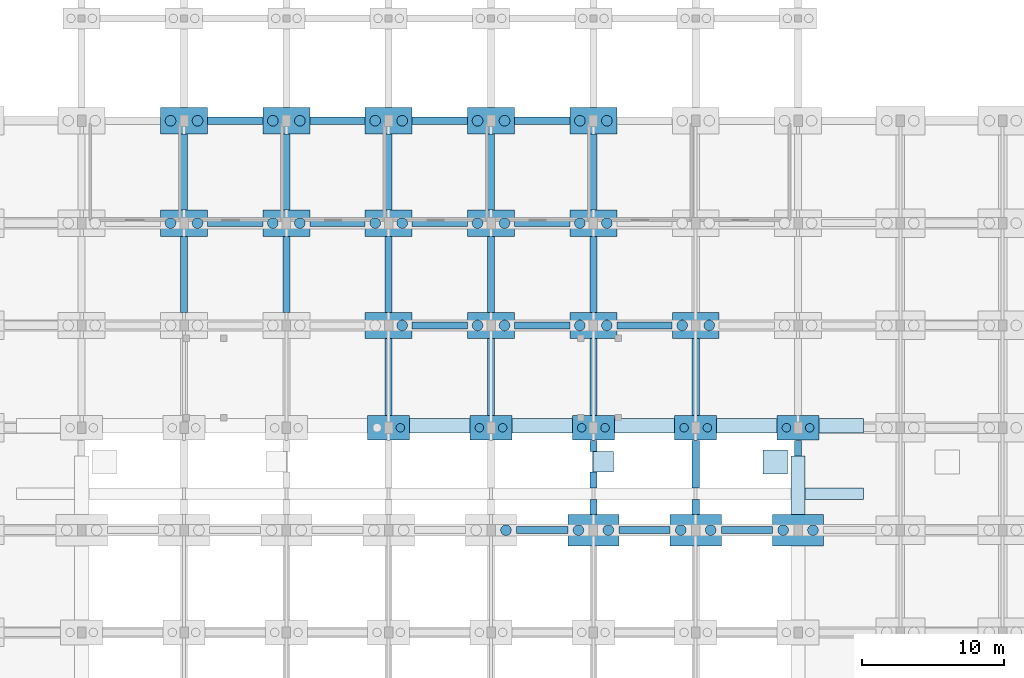
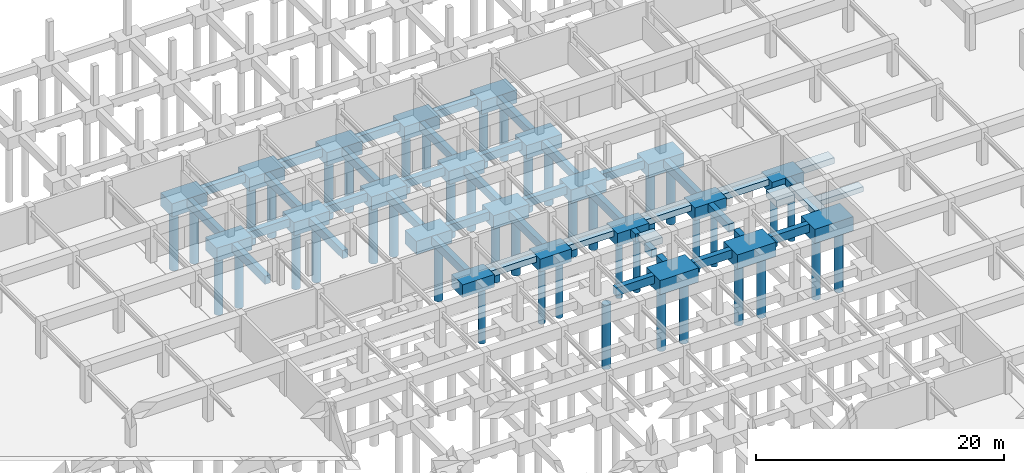
# One storey, part 10 of 36: 65 footings, 43 piles.
"""IFC4 building model written with IfcOpenShell, lengths in metres."""

from ifc_helpers import new_model, si_unit, direction, frame, origin, origin_2d, place, context, subcontext, project, spatial, rectangle, circle, extrude, material, material_profile, profile_set, type_object, element, save


model = new_model("IFC4")

# Units and contexts
model_context = context("Model", 3, precision=1e-05, world=origin(), true_north=direction((0.0, 1.0)))
body_context = subcontext(model_context, "Body", "Model", "MODEL_VIEW")
ifc_project = project(units=[si_unit("LENGTHUNIT", "METRE"), si_unit("AREAUNIT", "SQUARE_METRE"), si_unit("VOLUMEUNIT", "CUBIC_METRE"), si_unit("PLANEANGLEUNIT", "RADIAN"), si_unit("MASSUNIT", "GRAM", prefix="KILO")], contexts=[model_context])

# Site, building, storey
site_placement = place(None, origin())
site = spatial("IfcSite", under=ifc_project, at=site_placement, CompositionType="ELEMENT")
building_placement = place(site_placement, origin())
building = spatial("IfcBuilding", under=site, at=building_placement, Name="Ochrevale Crest", CompositionType="ELEMENT")
storey_placement = place(building_placement, frame((0.0, 0.0, -3.60009765625)))
storey = spatial("IfcBuildingStorey", under=building, at=storey_placement, Name="B1", CompositionType="ELEMENT", Elevation=-3.60009765625)

# Footings
ifc_material = material(Name="Concrete C40/50", Category="concrete")
footing_type_1 = type_object("IfcFootingType", Name="CAP-PC11", PredefinedType="PILE_CAP", material=ifc_material)
for number, where, z_axis, x_axis, name in (
    (1, (93.60009765625, 64.800048828125, -1.659912109375), (0.0, 0.0, 1.0), (1.0, 0.0, 0.0), "Pile cap PC11-188"),
    (2, (100.800048828125, 64.800048828125, -1.659912109375), (0.0, 0.0, 1.0), (1.0, 0.0, 0.0), "Pile cap PC11-204"),
    (3, (108.0, 64.800048828125, -1.659912109375), (0.0, 0.0, 1.0), (1.0, 0.0, 0.0), "Pile cap PC11-220"),
):
    element("IfcFooting", number, at=place(storey_placement, frame(where, z_axis=z_axis, x_axis=x_axis)), inside=storey, type_object=footing_type_1, Name=name, PredefinedType="PILE_CAP", context=body_context, shape_type="SweptSolid", body=[
        extrude(rectangle(XDim=3.60009765625, YDim=2.199951171875, at=origin_2d()), origin(), (0.0, 0.0, 1.0), 1.39990234375),
    ])
footing_type_2 = type_object("IfcFootingType", Name="CAP-PC13", PredefinedType="PILE_CAP", material=ifc_material)
for number, where, z_axis, x_axis, name in (
    (4, (64.800048828125, 86.39990234375, -1.56005859375), (0.0, 0.0, 1.0), (1.0, 0.0, 0.0), "Pile cap PC13-125"),
    (5, (64.800048828125, 93.60009765625, -1.56005859375), (0.0, 0.0, 1.0), (1.0, 0.0, 0.0), "Pile cap PC13-126"),
    (6, (72.0, 86.39990234375, -1.56005859375), (0.0, 0.0, 1.0), (1.0, 0.0, 0.0), "Pile cap PC13-141"),
    (7, (72.0, 93.60009765625, -1.56005859375), (0.0, 0.0, 1.0), (1.0, 0.0, 0.0), "Pile cap PC13-142"),
    (8, (79.199951171875, 79.199951171875, -1.56005859375), (0.0, 0.0, 1.0), (1.0, 0.0, 0.0), "Pile cap PC13-157"),
    (9, (79.199951171875, 86.39990234375, -1.56005859375), (0.0, 0.0, 1.0), (1.0, 0.0, 0.0), "Pile cap PC13-158"),
    (10, (79.199951171875, 93.60009765625, -1.56005859375), (0.0, 0.0, 1.0), (1.0, 0.0, 0.0), "Pile cap PC13-159"),
    (11, (86.39990234375, 79.199951171875, -1.56005859375), (0.0, 0.0, 1.0), (1.0, 0.0, 0.0), "Pile cap PC13-174"),
    (12, (86.39990234375, 86.39990234375, -1.56005859375), (0.0, 0.0, 1.0), (1.0, 0.0, 0.0), "Pile cap PC13-175"),
    (13, (86.39990234375, 93.60009765625, -1.56005859375), (0.0, 0.0, 1.0), (1.0, 0.0, 0.0), "Pile cap PC13-176"),
    (14, (93.60009765625, 79.199951171875, -1.56005859375), (0.0, 0.0, 1.0), (1.0, 0.0, 0.0), "Pile cap PC13-190"),
    (15, (93.60009765625, 86.39990234375, -1.56005859375), (0.0, 0.0, 1.0), (1.0, 0.0, 0.0), "Pile cap PC13-191"),
    (16, (93.60009765625, 93.60009765625, -1.56005859375), (0.0, 0.0, 1.0), (1.0, 0.0, 0.0), "Pile cap PC13-192"),
    (17, (100.800048828125, 79.199951171875, -1.56005859375), (0.0, 0.0, 1.0), (1.0, 0.0, 0.0), "Pile cap PC13-206"),
):
    element("IfcFooting", number, at=place(storey_placement, frame(where, z_axis=z_axis, x_axis=x_axis)), inside=storey, type_object=footing_type_2, Name=name, PredefinedType="PILE_CAP", context=body_context, shape_type="SweptSolid", body=[
        extrude(rectangle(XDim=3.300048828125, YDim=1.85009765625, at=origin_2d()), origin(), (0.0, 0.0, 1.0), 1.300048828125),
    ])
footing_type_3 = type_object("IfcFootingType", Name="CAP-PC14", PredefinedType="PILE_CAP", material=ifc_material)
for number, where, z_axis, x_axis, name in (
    (18, (79.199951171875, 72.0, -1.510009765625), (0.0, 0.0, 1.0), (1.0, 0.0, 0.0), "Pile cap PC14-156"),
    (19, (86.39990234375, 72.0, -1.510009765625), (0.0, 0.0, 1.0), (1.0, 0.0, 0.0), "Pile cap PC14-173"),
    (20, (93.60009765625, 72.0, -1.510009765625), (0.0, 0.0, 1.0), (1.0, 0.0, 0.0), "Pile cap PC14-189"),
    (21, (100.800048828125, 72.0, -1.510009765625), (0.0, 0.0, 1.0), (1.0, 0.0, 0.0), "Pile cap PC14-205"),
    (22, (108.0, 72.0, -1.510009765625), (0.0, 0.0, 1.0), (1.0, 0.0, 0.0), "Pile cap PC14-221"),
):
    element("IfcFooting", number, at=place(storey_placement, frame(where, z_axis=z_axis, x_axis=x_axis)), inside=storey, type_object=footing_type_3, Name=name, PredefinedType="PILE_CAP", context=body_context, shape_type="SweptSolid", body=[
        extrude(rectangle(XDim=2.949951171875, YDim=1.75, at=origin_2d()), origin(), (0.0, 0.0, 1.0), 1.25),
    ])
ifc_material_profile_1 = material_profile(ifc_material, rectangle(XDim=0.5, YDim=0.800048828125, at=origin_2d()), Name="GB 500x800")
ifc_profile_set_1 = profile_set([ifc_material_profile_1], Name="Concrete C40/50")
footing_type_4 = type_object("IfcFootingType", Name="FTG-GB500x800", PredefinedType="FOOTING_BEAM", material=ifc_profile_set_1)
footing_1_placement = place(storey_placement, frame((64.800048828125, 80.126953125, -0.659912109375), z_axis=(0.0, 1.0, 0.0), x_axis=(-1.0, 0.0, 0.0)))
element("IfcFooting", 23, at=footing_1_placement, inside=storey, type_object=footing_type_4, Name="Foundation tie beam GB2-215", PredefinedType="FOOTING_BEAM", context=body_context, shape_type="SweptSolid", body=[
    extrude(rectangle(XDim=0.5, YDim=0.800048828125, at=origin_2d()), origin(), (0.0, 0.0, 1.0), 5.345947265625),
])
footing_2_placement = place(storey_placement, frame((66.451904296875, 86.39990234375, -0.659912109375), z_axis=(1.0, 0.0, 0.0), x_axis=(0.0, 1.0, 0.0)))
element("IfcFooting", 24, at=footing_2_placement, inside=storey, type_object=footing_type_4, Name="Foundation tie beam GB2-216", PredefinedType="FOOTING_BEAM", context=body_context, shape_type="SweptSolid", body=[
    extrude(rectangle(XDim=0.5, YDim=0.800048828125, at=origin_2d()), origin(), (0.0, 0.0, 1.0), 3.89599609375),
])
footing_3_placement = place(storey_placement, frame((64.800048828125, 87.326904296875, -0.659912109375), z_axis=(0.0, 1.0, 0.0), x_axis=(-1.0, 0.0, 0.0)))
element("IfcFooting", 25, at=footing_3_placement, inside=storey, type_object=footing_type_4, Name="Foundation tie beam GB2-217", PredefinedType="FOOTING_BEAM", context=body_context, shape_type="SweptSolid", body=[
    extrude(rectangle(XDim=0.5, YDim=0.800048828125, at=origin_2d()), origin(), (0.0, 0.0, 1.0), 5.34619140625),
])
footing_4_placement = place(storey_placement, frame((66.451904296875, 93.60009765625, -0.659912109375), z_axis=(1.0, 0.0, 0.0), x_axis=(0.0, 1.0, 0.0)))
element("IfcFooting", 26, at=footing_4_placement, inside=storey, type_object=footing_type_4, Name="Foundation tie beam GB2-218", PredefinedType="FOOTING_BEAM", context=body_context, shape_type="SweptSolid", body=[
    extrude(rectangle(XDim=0.5, YDim=0.800048828125, at=origin_2d()), origin(), (0.0, 0.0, 1.0), 3.89599609375),
])
footing_5_placement = place(storey_placement, frame((72.0, 80.126953125, -0.659912109375), z_axis=(0.0, 1.0, 0.0), x_axis=(-1.0, 0.0, 0.0)))
element("IfcFooting", 27, at=footing_5_placement, inside=storey, type_object=footing_type_4, Name="Foundation tie beam GB2-246", PredefinedType="FOOTING_BEAM", context=body_context, shape_type="SweptSolid", body=[
    extrude(rectangle(XDim=0.5, YDim=0.800048828125, at=origin_2d()), origin(), (0.0, 0.0, 1.0), 5.345947265625),
])
footing_6_placement = place(storey_placement, frame((73.652099609375, 86.39990234375, -0.659912109375), z_axis=(1.0, 0.0, 0.0), x_axis=(0.0, 1.0, 0.0)))
element("IfcFooting", 28, at=footing_6_placement, inside=storey, type_object=footing_type_4, Name="Foundation tie beam GB2-247", PredefinedType="FOOTING_BEAM", context=body_context, shape_type="SweptSolid", body=[
    extrude(rectangle(XDim=0.5, YDim=0.800048828125, at=origin_2d()), origin(), (0.0, 0.0, 1.0), 3.89599609375),
])
footing_7_placement = place(storey_placement, frame((72.0, 87.326904296875, -0.659912109375), z_axis=(0.0, 1.0, 0.0), x_axis=(-1.0, 0.0, 0.0)))
element("IfcFooting", 29, at=footing_7_placement, inside=storey, type_object=footing_type_4, Name="Foundation tie beam GB2-248", PredefinedType="FOOTING_BEAM", context=body_context, shape_type="SweptSolid", body=[
    extrude(rectangle(XDim=0.5, YDim=0.800048828125, at=origin_2d()), origin(), (0.0, 0.0, 1.0), 5.34619140625),
])
footing_8_placement = place(storey_placement, frame((73.652099609375, 93.60009765625, -0.659912109375), z_axis=(1.0, 0.0, 0.0), x_axis=(0.0, 1.0, 0.0)))
element("IfcFooting", 30, at=footing_8_placement, inside=storey, type_object=footing_type_4, Name="Foundation tie beam GB2-249", PredefinedType="FOOTING_BEAM", context=body_context, shape_type="SweptSolid", body=[
    extrude(rectangle(XDim=0.5, YDim=0.800048828125, at=origin_2d()), origin(), (0.0, 0.0, 1.0), 3.89599609375),
])
footing_9_placement = place(storey_placement, frame((79.199951171875, 72.876953125, -0.659912109375), z_axis=(0.0, 1.0, 0.0), x_axis=(-1.0, 0.0, 0.0)))
element("IfcFooting", 31, at=footing_9_placement, inside=storey, type_object=footing_type_4, Name="Foundation tie beam GB2-277", PredefinedType="FOOTING_BEAM", context=body_context, shape_type="SweptSolid", body=[
    extrude(rectangle(XDim=0.5, YDim=0.800048828125, at=origin_2d()), origin(), (0.0, 0.0, 1.0), 5.39599609375),
])
footing_10_placement = place(storey_placement, frame((80.85205078125, 79.199951171875, -0.659912109375), z_axis=(1.0, 0.0, 0.0), x_axis=(0.0, 1.0, 0.0)))
element("IfcFooting", 32, at=footing_10_placement, inside=storey, type_object=footing_type_4, Name="Foundation tie beam GB2-278", PredefinedType="FOOTING_BEAM", context=body_context, shape_type="SweptSolid", body=[
    extrude(rectangle(XDim=0.5, YDim=0.800048828125, at=origin_2d()), origin(), (0.0, 0.0, 1.0), 3.89599609375),
])
footing_11_placement = place(storey_placement, frame((79.199951171875, 80.126953125, -0.659912109375), z_axis=(0.0, 1.0, 0.0), x_axis=(-1.0, 0.0, 0.0)))
element("IfcFooting", 33, at=footing_11_placement, inside=storey, type_object=footing_type_4, Name="Foundation tie beam GB2-279", PredefinedType="FOOTING_BEAM", context=body_context, shape_type="SweptSolid", body=[
    extrude(rectangle(XDim=0.5, YDim=0.800048828125, at=origin_2d()), origin(), (0.0, 0.0, 1.0), 5.345947265625),
])
footing_12_placement = place(storey_placement, frame((80.85205078125, 86.39990234375, -0.659912109375), z_axis=(1.0, 0.0, 0.0), x_axis=(0.0, 1.0, 0.0)))
element("IfcFooting", 34, at=footing_12_placement, inside=storey, type_object=footing_type_4, Name="Foundation tie beam GB2-280", PredefinedType="FOOTING_BEAM", context=body_context, shape_type="SweptSolid", body=[
    extrude(rectangle(XDim=0.5, YDim=0.800048828125, at=origin_2d()), origin(), (0.0, 0.0, 1.0), 3.89599609375),
])
footing_13_placement = place(storey_placement, frame((79.199951171875, 87.326904296875, -0.659912109375), z_axis=(0.0, 1.0, 0.0), x_axis=(-1.0, 0.0, 0.0)))
element("IfcFooting", 35, at=footing_13_placement, inside=storey, type_object=footing_type_4, Name="Foundation tie beam GB2-281", PredefinedType="FOOTING_BEAM", context=body_context, shape_type="SweptSolid", body=[
    extrude(rectangle(XDim=0.5, YDim=0.800048828125, at=origin_2d()), origin(), (0.0, 0.0, 1.0), 5.34619140625),
])
footing_14_placement = place(storey_placement, frame((80.85205078125, 93.60009765625, -0.659912109375), z_axis=(1.0, 0.0, 0.0), x_axis=(0.0, 1.0, 0.0)))
element("IfcFooting", 36, at=footing_14_placement, inside=storey, type_object=footing_type_4, Name="Foundation tie beam GB2-282", PredefinedType="FOOTING_BEAM", context=body_context, shape_type="SweptSolid", body=[
    extrude(rectangle(XDim=0.5, YDim=0.800048828125, at=origin_2d()), origin(), (0.0, 0.0, 1.0), 3.89599609375),
])
footing_15_placement = place(storey_placement, frame((88.201904296875, 64.800048828125, -0.659912109375), z_axis=(1.0, 0.0, 0.0), x_axis=(0.0, 1.0, 0.0)))
element("IfcFooting", 37, at=footing_15_placement, inside=storey, type_object=footing_type_4, Name="Foundation tie beam GB2-306", PredefinedType="FOOTING_BEAM", context=body_context, shape_type="SweptSolid", body=[
    extrude(rectangle(XDim=0.5, YDim=0.800048828125, at=origin_2d()), origin(), (0.0, 0.0, 1.0), 3.59619140625),
])
footing_16_placement = place(storey_placement, frame((86.39990234375, 72.876953125, -0.659912109375), z_axis=(0.0, 1.0, 0.0), x_axis=(-1.0, 0.0, 0.0)))
element("IfcFooting", 38, at=footing_16_placement, inside=storey, type_object=footing_type_4, Name="Foundation tie beam GB2-309", PredefinedType="FOOTING_BEAM", context=body_context, shape_type="SweptSolid", body=[
    extrude(rectangle(XDim=0.5, YDim=0.800048828125, at=origin_2d()), origin(), (0.0, 0.0, 1.0), 5.39599609375),
])
footing_17_placement = place(storey_placement, frame((88.052001953125, 79.199951171875, -0.659912109375), z_axis=(1.0, 0.0, 0.0), x_axis=(0.0, 1.0, 0.0)))
element("IfcFooting", 39, at=footing_17_placement, inside=storey, type_object=footing_type_4, Name="Foundation tie beam GB2-310", PredefinedType="FOOTING_BEAM", context=body_context, shape_type="SweptSolid", body=[
    extrude(rectangle(XDim=0.5, YDim=0.800048828125, at=origin_2d()), origin(), (0.0, 0.0, 1.0), 3.89599609375),
])
footing_18_placement = place(storey_placement, frame((86.39990234375, 80.126953125, -0.659912109375), z_axis=(0.0, 1.0, 0.0), x_axis=(-1.0, 0.0, 0.0)))
element("IfcFooting", 40, at=footing_18_placement, inside=storey, type_object=footing_type_4, Name="Foundation tie beam GB2-311", PredefinedType="FOOTING_BEAM", context=body_context, shape_type="SweptSolid", body=[
    extrude(rectangle(XDim=0.5, YDim=0.800048828125, at=origin_2d()), origin(), (0.0, 0.0, 1.0), 5.345947265625),
])
footing_19_placement = place(storey_placement, frame((88.052001953125, 86.39990234375, -0.659912109375), z_axis=(1.0, 0.0, 0.0), x_axis=(0.0, 1.0, 0.0)))
element("IfcFooting", 41, at=footing_19_placement, inside=storey, type_object=footing_type_4, Name="Foundation tie beam GB2-312", PredefinedType="FOOTING_BEAM", context=body_context, shape_type="SweptSolid", body=[
    extrude(rectangle(XDim=0.5, YDim=0.800048828125, at=origin_2d()), origin(), (0.0, 0.0, 1.0), 3.89599609375),
])
footing_20_placement = place(storey_placement, frame((86.39990234375, 87.326904296875, -0.659912109375), z_axis=(0.0, 1.0, 0.0), x_axis=(-1.0, 0.0, 0.0)))
element("IfcFooting", 42, at=footing_20_placement, inside=storey, type_object=footing_type_4, Name="Foundation tie beam GB2-313", PredefinedType="FOOTING_BEAM", context=body_context, shape_type="SweptSolid", body=[
    extrude(rectangle(XDim=0.5, YDim=0.800048828125, at=origin_2d()), origin(), (0.0, 0.0, 1.0), 5.34619140625),
])
footing_21_placement = place(storey_placement, frame((88.052001953125, 93.60009765625, -0.659912109375), z_axis=(1.0, 0.0, 0.0), x_axis=(0.0, 1.0, 0.0)))
element("IfcFooting", 43, at=footing_21_placement, inside=storey, type_object=footing_type_4, Name="Foundation tie beam GB2-314", PredefinedType="FOOTING_BEAM", context=body_context, shape_type="SweptSolid", body=[
    extrude(rectangle(XDim=0.5, YDim=0.800048828125, at=origin_2d()), origin(), (0.0, 0.0, 1.0), 3.89599609375),
])
footing_22_placement = place(storey_placement, frame((95.402099609375, 64.800048828125, -0.659912109375), z_axis=(1.0, 0.0, 0.0), x_axis=(0.0, 1.0, 0.0)))
element("IfcFooting", 44, at=footing_22_placement, inside=storey, type_object=footing_type_4, Name="Foundation tie beam GB2-337", PredefinedType="FOOTING_BEAM", context=body_context, shape_type="SweptSolid", body=[
    extrude(rectangle(XDim=0.5, YDim=0.800048828125, at=origin_2d()), origin(), (0.0, 0.0, 1.0), 3.595947265625),
])
footing_23_placement = place(storey_placement, frame((93.60009765625, 65.902099609375, -0.659912109375), z_axis=(0.0, 1.0, 0.0), x_axis=(-1.0, 0.0, 0.0)))
element("IfcFooting", 45, at=footing_23_placement, inside=storey, type_object=footing_type_4, Name="Foundation tie beam GB2-338 segment 1", PredefinedType="FOOTING_BEAM", context=body_context, shape_type="SweptSolid", body=[
    extrude(rectangle(XDim=0.5, YDim=0.800048828125, at=origin_2d()), origin(), (0.0, 0.0, 1.0), 1.0458984375),
])
footing_24_placement = place(storey_placement, frame((93.60009765625, 67.751953125, -0.659912109375), z_axis=(0.0, 1.0, 0.0), x_axis=(-1.0, 0.0, 0.0)))
element("IfcFooting", 46, at=footing_24_placement, inside=storey, type_object=footing_type_4, Name="Foundation tie beam GB2-338 segment 2", PredefinedType="FOOTING_BEAM", context=body_context, shape_type="SweptSolid", body=[
    extrude(rectangle(XDim=0.5, YDim=0.800048828125, at=origin_2d()), origin(), (0.0, 0.0, 1.0), 1.12109375),
])
footing_25_placement = place(storey_placement, frame((93.60009765625, 70.326904296875, -0.659912109375), z_axis=(0.0, 1.0, 0.0), x_axis=(-1.0, 0.0, 0.0)))
element("IfcFooting", 47, at=footing_25_placement, inside=storey, type_object=footing_type_4, Name="Foundation tie beam GB2-338 segment 3", PredefinedType="FOOTING_BEAM", context=body_context, shape_type="SweptSolid", body=[
    extrude(rectangle(XDim=0.5, YDim=0.800048828125, at=origin_2d()), origin(), (0.0, 0.0, 1.0), 0.796142578125),
])
footing_26_placement = place(storey_placement, frame((93.60009765625, 72.876953125, -0.659912109375), z_axis=(0.0, 1.0, 0.0), x_axis=(-1.0, 0.0, 0.0)))
element("IfcFooting", 48, at=footing_26_placement, inside=storey, type_object=footing_type_4, Name="Foundation tie beam GB2-340", PredefinedType="FOOTING_BEAM", context=body_context, shape_type="SweptSolid", body=[
    extrude(rectangle(XDim=0.5, YDim=0.800048828125, at=origin_2d()), origin(), (0.0, 0.0, 1.0), 5.39599609375),
])
footing_27_placement = place(storey_placement, frame((95.251953125, 79.199951171875, -0.659912109375), z_axis=(1.0, 0.0, 0.0), x_axis=(0.0, 1.0, 0.0)))
element("IfcFooting", 49, at=footing_27_placement, inside=storey, type_object=footing_type_4, Name="Foundation tie beam GB2-341", PredefinedType="FOOTING_BEAM", context=body_context, shape_type="SweptSolid", body=[
    extrude(rectangle(XDim=0.5, YDim=0.800048828125, at=origin_2d()), origin(), (0.0, 0.0, 1.0), 3.89599609375),
])
footing_28_placement = place(storey_placement, frame((93.60009765625, 80.126953125, -0.659912109375), z_axis=(0.0, 1.0, 0.0), x_axis=(-1.0, 0.0, 0.0)))
element("IfcFooting", 50, at=footing_28_placement, inside=storey, type_object=footing_type_4, Name="Foundation tie beam GB2-342", PredefinedType="FOOTING_BEAM", context=body_context, shape_type="SweptSolid", body=[
    extrude(rectangle(XDim=0.5, YDim=0.800048828125, at=origin_2d()), origin(), (0.0, 0.0, 1.0), 5.345947265625),
])
footing_29_placement = place(storey_placement, frame((93.60009765625, 87.326904296875, -0.659912109375), z_axis=(0.0, 1.0, 0.0), x_axis=(-1.0, 0.0, 0.0)))
element("IfcFooting", 51, at=footing_29_placement, inside=storey, type_object=footing_type_4, Name="Foundation tie beam GB2-344", PredefinedType="FOOTING_BEAM", context=body_context, shape_type="SweptSolid", body=[
    extrude(rectangle(XDim=0.5, YDim=0.800048828125, at=origin_2d()), origin(), (0.0, 0.0, 1.0), 5.34619140625),
])
footing_30_placement = place(storey_placement, frame((102.60205078125, 64.800048828125, -0.659912109375), z_axis=(1.0, 0.0, 0.0), x_axis=(0.0, 1.0, 0.0)))
element("IfcFooting", 52, at=footing_30_placement, inside=storey, type_object=footing_type_4, Name="Foundation tie beam GB2-368", PredefinedType="FOOTING_BEAM", context=body_context, shape_type="SweptSolid", body=[
    extrude(rectangle(XDim=0.5, YDim=0.800048828125, at=origin_2d()), origin(), (0.0, 0.0, 1.0), 3.595947265625),
])
footing_31_placement = place(storey_placement, frame((100.800048828125, 65.902099609375, -0.659912109375), z_axis=(0.0, 1.0, 0.0), x_axis=(-1.0, 0.0, 0.0)))
element("IfcFooting", 53, at=footing_31_placement, inside=storey, type_object=footing_type_4, Name="Foundation tie beam GB2-369 segment 1", PredefinedType="FOOTING_BEAM", context=body_context, shape_type="SweptSolid", body=[
    extrude(rectangle(XDim=0.5, YDim=0.800048828125, at=origin_2d()), origin(), (0.0, 0.0, 1.0), 1.0458984375),
])
footing_32_placement = place(storey_placement, frame((100.800048828125, 67.751953125, -0.659912109375), z_axis=(0.0, 1.0, 0.0), x_axis=(-1.0, 0.0, 0.0)))
element("IfcFooting", 54, at=footing_32_placement, inside=storey, type_object=footing_type_4, Name="Foundation tie beam GB2-369 segment 2", PredefinedType="FOOTING_BEAM", context=body_context, shape_type="SweptSolid", body=[
    extrude(rectangle(XDim=0.5, YDim=0.800048828125, at=origin_2d()), origin(), (0.0, 0.0, 1.0), 3.37109375),
])
footing_33_placement = place(storey_placement, frame((100.800048828125, 72.876953125, -0.659912109375), z_axis=(0.0, 1.0, 0.0), x_axis=(-1.0, 0.0, 0.0)))
element("IfcFooting", 55, at=footing_33_placement, inside=storey, type_object=footing_type_4, Name="Foundation tie beam GB2-371", PredefinedType="FOOTING_BEAM", context=body_context, shape_type="SweptSolid", body=[
    extrude(rectangle(XDim=0.5, YDim=0.800048828125, at=origin_2d()), origin(), (0.0, 0.0, 1.0), 5.39599609375),
])
footing_34_placement = place(storey_placement, frame((108.0, 70.001953125, -0.659912109375), z_axis=(0.0, 1.0, 0.0), x_axis=(-1.0, 0.0, 0.0)))
element("IfcFooting", 56, at=footing_34_placement, inside=storey, type_object=footing_type_4, Name="Foundation tie beam GB2-399", PredefinedType="FOOTING_BEAM", context=body_context, shape_type="SweptSolid", body=[
    extrude(rectangle(XDim=0.5, YDim=0.800048828125, at=origin_2d()), origin(), (0.0, 0.0, 1.0), 1.12109375),
])
footing_type_5 = type_object("IfcFootingType", Name="FTG-PAD03", PredefinedType="PAD_FOOTING", material=ifc_material)
footing_35_placement = place(storey_placement, frame((106.39990234375, 69.60009765625, -0.909912109375), z_axis=(0.0, 0.0, 1.0), x_axis=(1.0, 0.0, 0.0)))
element("IfcFooting", 57, at=footing_35_placement, inside=storey, type_object=footing_type_5, Name="Pad footing PF03 (106.4,69.6)", PredefinedType="PAD_FOOTING", context=body_context, shape_type="SweptSolid", body=[
    extrude(rectangle(XDim=1.699951171875, YDim=1.699951171875, at=origin_2d()), origin(), (0.0, 0.0, 1.0), 0.64990234375),
])
footing_type_6 = type_object("IfcFootingType", Name="FTG-PAD04", PredefinedType="PAD_FOOTING", material=ifc_material)
footing_36_placement = place(storey_placement, frame((94.300048828125, 69.60009765625, -0.85986328125), z_axis=(0.0, 0.0, 1.0), x_axis=(1.0, 0.0, 0.0)))
element("IfcFooting", 58, at=footing_36_placement, inside=storey, type_object=footing_type_6, Name="Pad footing PF04 (94.3,69.6)", PredefinedType="PAD_FOOTING", context=body_context, shape_type="SweptSolid", body=[
    extrude(rectangle(XDim=1.449951171875, YDim=1.449951171875, at=origin_2d()), origin(), (0.0, 0.0, 1.0), 0.60009765625),
])
ifc_material_profile_2 = material_profile(ifc_material, rectangle(XDim=1.0, YDim=0.60009765625, at=origin_2d()), Name="SF 1000x600")
ifc_profile_set_2 = profile_set([ifc_material_profile_2], Name="Concrete C40/50")
footing_type_7 = type_object("IfcFootingType", Name="FTG-SF1000x600", PredefinedType="STRIP_FOOTING", material=ifc_profile_set_2)
footing_37_placement = place(storey_placement, frame((108.0, 65.902099609375, -0.559814453125), z_axis=(0.0, 1.0, 0.0), x_axis=(-1.0, 0.0, 0.0)))
element("IfcFooting", 59, at=footing_37_placement, inside=storey, type_object=footing_type_7, Name="B1 courtyard retaining wall E strip footing segment 5", PredefinedType="STRIP_FOOTING", context=body_context, shape_type="SweptSolid", body=[
    extrude(rectangle(XDim=1.0, YDim=0.60009765625, at=origin_2d()), origin(), (0.0, 0.0, 1.0), 4.097900390625),
])
for number, where, z_axis, x_axis, name in (
    (60, (80.677001953125, 72.14990234375, -0.559814453125), (1.0, 0.0, 0.0), (0.0, 1.0, 0.0), "Hillside Step 3 grounded strip footing segment 5"),
    (61, (87.876953125, 72.14990234375, -0.559814453125), (1.0, 0.0, 0.0), (0.0, 1.0, 0.0), "Hillside Step 3 grounded strip footing segment 6"),
    (62, (95.076904296875, 72.14990234375, -0.559814453125), (1.0, 0.0, 0.0), (0.0, 1.0, 0.0), "Hillside Step 3 grounded strip footing segment 7"),
):
    element("IfcFooting", number, at=place(storey_placement, frame(where, z_axis=z_axis, x_axis=x_axis)), inside=storey, type_object=footing_type_7, Name=name, PredefinedType="STRIP_FOOTING", context=body_context, shape_type="SweptSolid", body=[
        extrude(rectangle(XDim=1.0, YDim=0.60009765625, at=origin_2d()), origin(), (0.0, 0.0, 1.0), 4.24609375),
    ])
footing_38_placement = place(storey_placement, frame((102.277099609375, 72.14990234375, -0.559814453125), z_axis=(1.0, 0.0, 0.0), x_axis=(0.0, 1.0, 0.0)))
element("IfcFooting", 63, at=footing_38_placement, inside=storey, type_object=footing_type_7, Name="Hillside Step 3 grounded strip footing segment 8", PredefinedType="STRIP_FOOTING", context=body_context, shape_type="SweptSolid", body=[
    extrude(rectangle(XDim=1.0, YDim=0.60009765625, at=origin_2d()), origin(), (0.0, 0.0, 1.0), 4.245849609375),
])
footing_39_placement = place(storey_placement, frame((109.47705078125, 72.14990234375, -0.559814453125), z_axis=(1.0, 0.0, 0.0), x_axis=(0.0, 1.0, 0.0)))
element("IfcFooting", 64, at=footing_39_placement, inside=storey, type_object=footing_type_7, Name="Hillside Step 3 grounded strip footing segment 9", PredefinedType="STRIP_FOOTING", context=body_context, shape_type="SweptSolid", body=[
    extrude(rectangle(XDim=1.0, YDim=0.60009765625, at=origin_2d()), origin(), (0.0, 0.0, 1.0), 3.123046875),
])
ifc_material_profile_3 = material_profile(ifc_material, rectangle(XDim=0.800048828125, YDim=0.5, at=origin_2d()), Name="SF 800x500")
ifc_profile_set_3 = profile_set([ifc_material_profile_3], Name="Concrete C40/50")
footing_type_8 = type_object("IfcFootingType", Name="FTG-SF800x500", PredefinedType="STRIP_FOOTING", material=ifc_profile_set_3)
footing_40_placement = place(storey_placement, frame((108.501953125, 67.35009765625, -0.510009765625), z_axis=(1.0, 0.0, 0.0), x_axis=(0.0, 1.0, 0.0)))
element("IfcFooting", 65, at=footing_40_placement, inside=storey, type_object=footing_type_8, Name="Hillside Step 2 grounded strip footing segment 3", PredefinedType="STRIP_FOOTING", context=body_context, shape_type="SweptSolid", body=[
    extrude(rectangle(XDim=0.800048828125, YDim=0.5, at=origin_2d()), origin(), (0.0, 0.0, 1.0), 4.09814453125),
])

# Piles
ifc_material_profile_4 = material_profile(ifc_material, circle(Radius=0.300048828125, at=origin_2d()), Name="BORED PILE 600")
ifc_profile_set_4 = profile_set([ifc_material_profile_4], Name="Concrete C40/50")
pile_type_1 = type_object("IfcPileType", Name="PILE-BP600", PredefinedType="BORED", material=ifc_profile_set_4)
for number, where, z_axis, x_axis, name in (
    (66, (80.02001953125, 72.0, -1.409912109375), (0.0, 0.0, -1.0), (1.0, 0.0, 0.0), "Bored pile P1-156-2"),
    (67, (85.580078125, 72.0, -1.409912109375), (0.0, 0.0, -1.0), (1.0, 0.0, 0.0), "Bored pile P1-173-1"),
    (68, (87.219970703125, 72.0, -1.409912109375), (0.0, 0.0, -1.0), (1.0, 0.0, 0.0), "Bored pile P1-173-2"),
    (69, (92.780029296875, 72.0, -1.409912109375), (0.0, 0.0, -1.0), (1.0, 0.0, 0.0), "Bored pile P1-189-1"),
    (70, (94.419921875, 72.0, -1.409912109375), (0.0, 0.0, -1.0), (1.0, 0.0, 0.0), "Bored pile P1-189-2"),
    (71, (99.97998046875, 72.0, -1.409912109375), (0.0, 0.0, -1.0), (1.0, 0.0, 0.0), "Bored pile P1-205-1"),
    (72, (101.6201171875, 72.0, -1.409912109375), (0.0, 0.0, -1.0), (1.0, 0.0, 0.0), "Bored pile P1-205-2"),
    (73, (107.179931640625, 72.0, -1.409912109375), (0.0, 0.0, -1.0), (1.0, 0.0, 0.0), "Bored pile P1-221-1"),
    (74, (108.820068359375, 72.0, -1.409912109375), (0.0, 0.0, -1.0), (1.0, 0.0, 0.0), "Bored pile P1-221-2"),
):
    element("IfcPile", number, at=place(storey_placement, frame(where, z_axis=z_axis, x_axis=x_axis)), inside=storey, type_object=pile_type_1, Name=name, PredefinedType="BORED", context=body_context, shape_type="SweptSolid", body=[
        extrude(circle(Radius=0.300048828125, at=origin_2d()), origin(), (0.0, 0.0, 1.0), 5.7900390625),
    ])
ifc_material_profile_5 = material_profile(ifc_material, circle(Radius=0.375, at=origin_2d()), Name="BORED PILE 750")
ifc_profile_set_5 = profile_set([ifc_material_profile_5], Name="Concrete C40/50")
pile_type_2 = type_object("IfcPileType", Name="PILE-BP750", PredefinedType="BORED", material=ifc_profile_set_5)
for number, where, z_axis, x_axis, name in (
    (75, (63.85009765625, 86.39990234375, -1.4599609375), (0.0, 0.0, -1.0), (1.0, 0.0, 0.0), "Bored pile P2-125-1"),
    (76, (65.75, 86.39990234375, -1.4599609375), (0.0, 0.0, -1.0), (1.0, 0.0, 0.0), "Bored pile P2-125-2"),
    (77, (63.85009765625, 93.60009765625, -1.4599609375), (0.0, 0.0, -1.0), (1.0, 0.0, 0.0), "Bored pile P2-126-1"),
    (78, (65.75, 93.60009765625, -1.4599609375), (0.0, 0.0, -1.0), (1.0, 0.0, 0.0), "Bored pile P2-126-2"),
    (79, (71.050048828125, 86.39990234375, -1.4599609375), (0.0, 0.0, -1.0), (1.0, 0.0, 0.0), "Bored pile P2-141-1"),
    (80, (72.949951171875, 86.39990234375, -1.4599609375), (0.0, 0.0, -1.0), (1.0, 0.0, 0.0), "Bored pile P2-141-2"),
    (81, (71.050048828125, 93.60009765625, -1.4599609375), (0.0, 0.0, -1.0), (1.0, 0.0, 0.0), "Bored pile P2-142-1"),
    (82, (72.949951171875, 93.60009765625, -1.4599609375), (0.0, 0.0, -1.0), (1.0, 0.0, 0.0), "Bored pile P2-142-2"),
    (83, (80.14990234375, 79.199951171875, -1.4599609375), (0.0, 0.0, -1.0), (1.0, 0.0, 0.0), "Bored pile P2-157-2"),
    (84, (78.25, 86.39990234375, -1.4599609375), (0.0, 0.0, -1.0), (1.0, 0.0, 0.0), "Bored pile P2-158-1"),
    (85, (80.14990234375, 86.39990234375, -1.4599609375), (0.0, 0.0, -1.0), (1.0, 0.0, 0.0), "Bored pile P2-158-2"),
    (86, (78.25, 93.60009765625, -1.4599609375), (0.0, 0.0, -1.0), (1.0, 0.0, 0.0), "Bored pile P2-159-1"),
    (87, (80.14990234375, 93.60009765625, -1.4599609375), (0.0, 0.0, -1.0), (1.0, 0.0, 0.0), "Bored pile P2-159-2"),
):
    element("IfcPile", number, at=place(storey_placement, frame(where, z_axis=z_axis, x_axis=x_axis)), inside=storey, type_object=pile_type_2, Name=name, PredefinedType="BORED", context=body_context, shape_type="SweptSolid", body=[
        extrude(circle(Radius=0.375, at=origin_2d()), origin(), (0.0, 0.0, 1.0), 5.93994140625),
    ])
pile_placement = place(storey_placement, frame((87.449951171875, 64.800048828125, -1.559814453125), z_axis=(0.0, 0.0, -1.0), x_axis=(1.0, 0.0, 0.0)))
element("IfcPile", 88, at=pile_placement, inside=storey, type_object=pile_type_2, Name="Bored pile P2-172-2", PredefinedType="BORED", context=body_context, shape_type="SweptSolid", body=[
    extrude(circle(Radius=0.375, at=origin_2d()), origin(), (0.0, 0.0, 1.0), 6.340087890625),
])
for number, where, z_axis, x_axis, name in (
    (89, (85.449951171875, 79.199951171875, -1.4599609375), (0.0, 0.0, -1.0), (1.0, 0.0, 0.0), "Bored pile P2-174-1"),
    (90, (87.35009765625, 79.199951171875, -1.4599609375), (0.0, 0.0, -1.0), (1.0, 0.0, 0.0), "Bored pile P2-174-2"),
    (91, (85.449951171875, 86.39990234375, -1.4599609375), (0.0, 0.0, -1.0), (1.0, 0.0, 0.0), "Bored pile P2-175-1"),
    (92, (87.35009765625, 86.39990234375, -1.4599609375), (0.0, 0.0, -1.0), (1.0, 0.0, 0.0), "Bored pile P2-175-2"),
    (93, (85.449951171875, 93.60009765625, -1.4599609375), (0.0, 0.0, -1.0), (1.0, 0.0, 0.0), "Bored pile P2-176-1"),
    (94, (87.35009765625, 93.60009765625, -1.4599609375), (0.0, 0.0, -1.0), (1.0, 0.0, 0.0), "Bored pile P2-176-2"),
):
    element("IfcPile", number, at=place(storey_placement, frame(where, z_axis=z_axis, x_axis=x_axis)), inside=storey, type_object=pile_type_2, Name=name, PredefinedType="BORED", context=body_context, shape_type="SweptSolid", body=[
        extrude(circle(Radius=0.375, at=origin_2d()), origin(), (0.0, 0.0, 1.0), 5.93994140625),
    ])
for number, where, z_axis, x_axis, name in (
    (95, (92.550048828125, 64.800048828125, -1.559814453125), (0.0, 0.0, -1.0), (1.0, 0.0, 0.0), "Bored pile P2-188-1"),
    (96, (94.64990234375, 64.800048828125, -1.559814453125), (0.0, 0.0, -1.0), (1.0, 0.0, 0.0), "Bored pile P2-188-2"),
):
    element("IfcPile", number, at=place(storey_placement, frame(where, z_axis=z_axis, x_axis=x_axis)), inside=storey, type_object=pile_type_2, Name=name, PredefinedType="BORED", context=body_context, shape_type="SweptSolid", body=[
        extrude(circle(Radius=0.375, at=origin_2d()), origin(), (0.0, 0.0, 1.0), 6.340087890625),
    ])
for number, where, z_axis, x_axis, name in (
    (97, (92.64990234375, 79.199951171875, -1.4599609375), (0.0, 0.0, -1.0), (1.0, 0.0, 0.0), "Bored pile P2-190-1"),
    (98, (94.550048828125, 79.199951171875, -1.4599609375), (0.0, 0.0, -1.0), (1.0, 0.0, 0.0), "Bored pile P2-190-2"),
    (99, (92.64990234375, 86.39990234375, -1.4599609375), (0.0, 0.0, -1.0), (1.0, 0.0, 0.0), "Bored pile P2-191-1"),
    (100, (94.550048828125, 86.39990234375, -1.4599609375), (0.0, 0.0, -1.0), (1.0, 0.0, 0.0), "Bored pile P2-191-2"),
    (101, (92.64990234375, 93.60009765625, -1.4599609375), (0.0, 0.0, -1.0), (1.0, 0.0, 0.0), "Bored pile P2-192-1"),
    (102, (94.550048828125, 93.60009765625, -1.4599609375), (0.0, 0.0, -1.0), (1.0, 0.0, 0.0), "Bored pile P2-192-2"),
):
    element("IfcPile", number, at=place(storey_placement, frame(where, z_axis=z_axis, x_axis=x_axis)), inside=storey, type_object=pile_type_2, Name=name, PredefinedType="BORED", context=body_context, shape_type="SweptSolid", body=[
        extrude(circle(Radius=0.375, at=origin_2d()), origin(), (0.0, 0.0, 1.0), 5.93994140625),
    ])
for number, where, z_axis, x_axis, name in (
    (103, (99.75, 64.800048828125, -1.559814453125), (0.0, 0.0, -1.0), (1.0, 0.0, 0.0), "Bored pile P2-204-1"),
    (104, (101.85009765625, 64.800048828125, -1.559814453125), (0.0, 0.0, -1.0), (1.0, 0.0, 0.0), "Bored pile P2-204-2"),
):
    element("IfcPile", number, at=place(storey_placement, frame(where, z_axis=z_axis, x_axis=x_axis)), inside=storey, type_object=pile_type_2, Name=name, PredefinedType="BORED", context=body_context, shape_type="SweptSolid", body=[
        extrude(circle(Radius=0.375, at=origin_2d()), origin(), (0.0, 0.0, 1.0), 6.340087890625),
    ])
for number, where, z_axis, x_axis, name in (
    (105, (99.85009765625, 79.199951171875, -1.4599609375), (0.0, 0.0, -1.0), (1.0, 0.0, 0.0), "Bored pile P2-206-1"),
    (106, (101.75, 79.199951171875, -1.4599609375), (0.0, 0.0, -1.0), (1.0, 0.0, 0.0), "Bored pile P2-206-2"),
):
    element("IfcPile", number, at=place(storey_placement, frame(where, z_axis=z_axis, x_axis=x_axis)), inside=storey, type_object=pile_type_2, Name=name, PredefinedType="BORED", context=body_context, shape_type="SweptSolid", body=[
        extrude(circle(Radius=0.375, at=origin_2d()), origin(), (0.0, 0.0, 1.0), 5.93994140625),
    ])
for number, where, z_axis, x_axis, name in (
    (107, (106.949951171875, 64.800048828125, -1.559814453125), (0.0, 0.0, -1.0), (1.0, 0.0, 0.0), "Bored pile P2-220-1"),
    (108, (109.050048828125, 64.800048828125, -1.559814453125), (0.0, 0.0, -1.0), (1.0, 0.0, 0.0), "Bored pile P2-220-2"),
):
    element("IfcPile", number, at=place(storey_placement, frame(where, z_axis=z_axis, x_axis=x_axis)), inside=storey, type_object=pile_type_2, Name=name, PredefinedType="BORED", context=body_context, shape_type="SweptSolid", body=[
        extrude(circle(Radius=0.375, at=origin_2d()), origin(), (0.0, 0.0, 1.0), 6.340087890625),
    ])

save(model, "model.ifc")
